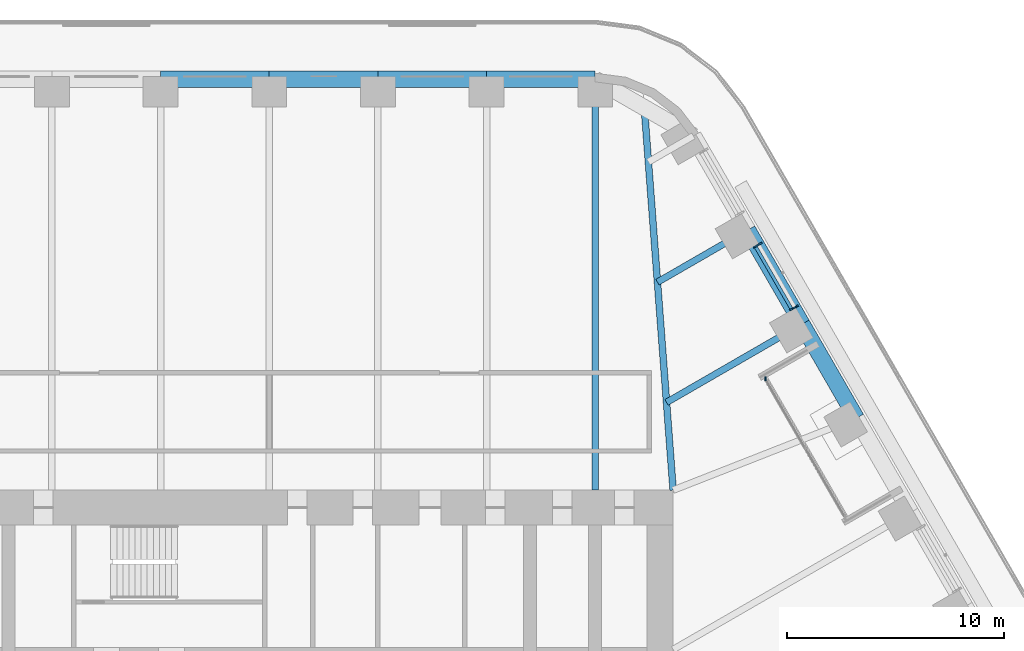
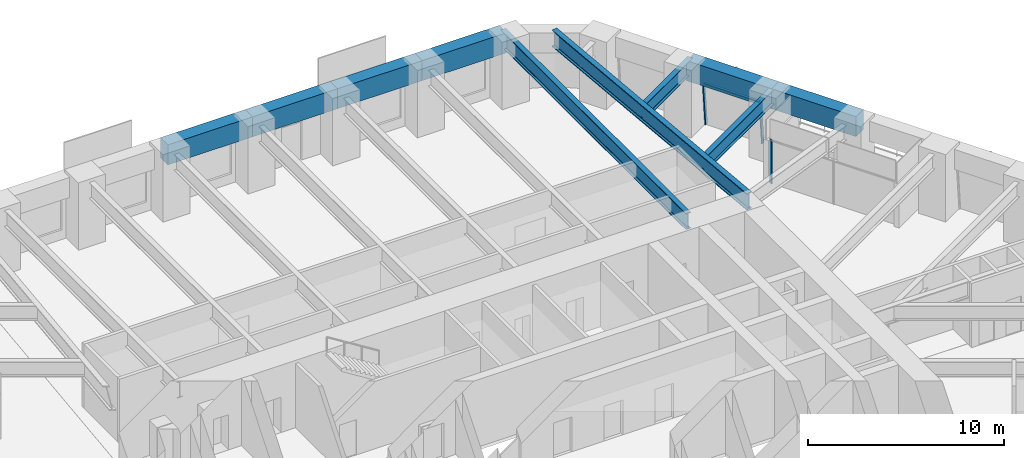
# One storey, part 12 of 24: 10 beams, 4 members, 2 elements without a shape of their own.
"""IFC4 building model written with IfcOpenShell, lengths in metres."""

from ifc_helpers import new_model, si_unit, direction, frame, origin, origin_2d, place, context, subcontext, project, spatial, rectangle, i_section, extrude, material, material_profile, profile_set, type_object, element, aggregate, save


model = new_model("IFC4")

# Units and contexts
model_context = context("Model", 3, precision=1e-05, world=origin(), true_north=direction((0.0, 1.0)))
body_context = subcontext(model_context, "Body", "Model", "MODEL_VIEW")
ifc_project = project(units=[si_unit("LENGTHUNIT", "METRE"), si_unit("AREAUNIT", "SQUARE_METRE"), si_unit("VOLUMEUNIT", "CUBIC_METRE"), si_unit("PLANEANGLEUNIT", "RADIAN"), si_unit("MASSUNIT", "GRAM", prefix="KILO")], contexts=[model_context])

# Site, building, storey
site_placement = place(None, origin())
site = spatial("IfcSite", under=ifc_project, at=site_placement, CompositionType="ELEMENT")
building_placement = place(site_placement, origin())
building = spatial("IfcBuilding", under=site, at=building_placement, Name="Tarfa Lantern Tower", CompositionType="ELEMENT")
storey_placement = place(building_placement, frame((0.0, 0.0, 165.699951171875)))
storey = spatial("IfcBuildingStorey", under=building, at=storey_placement, Name="L37", CompositionType="ELEMENT", Elevation=165.699951171875)

# Curtain wall, members
ifc_material_1 = material(Name="Aluminium framed curtain wall", Category="aluminium")
curtain_wall_type_1 = type_object("IfcCurtainWallType", Name="CW2 CANTED GLAZING MID ZONE 2750", PredefinedType="USERDEFINED", material=ifc_material_1)
curtain_wall_1_placement = place(storey_placement, origin())
curtain_wall_1 = element("IfcCurtainWall", 1, at=curtain_wall_1_placement, inside=storey, type_object=curtain_wall_type_1, Name="CW2 NEB L37", ObjectType="CURTAIN WALL", PredefinedType="USERDEFINED")
ifc_material_2 = material(Name="Aluminium mullion", Category="aluminium")
ifc_material_profile_1 = material_profile(ifc_material_2, rectangle(XDim=0.06494140625, YDim=0.199951171875, at=origin_2d()), Name="AL MULLION 65x200")
ifc_profile_set_1 = profile_set([ifc_material_profile_1], Name="Aluminium mullion")
member_type_1 = type_object("IfcMemberType", Name="CWM1 MULLION 65x200", PredefinedType="MULLION", material=ifc_profile_set_1)
member_1_placement = place(storey_placement, frame((24.275146484375, 20.75439453125, 0.0), z_axis=(-0.078422950161, -0.045267813396, 0.995891894715), x_axis=(0.499919672301, -0.866071776036, 0.0)))
member_1 = element("IfcMember", 2, at=member_1_placement, type_object=member_type_1, Name="CW2 mullion 1", PredefinedType="MULLION", context=body_context, shape_type="SweptSolid", body=[
    extrude(rectangle(XDim=0.06494140625, YDim=0.199951171875, at=origin_2d()), origin(), (0.0, 0.0, 1.0), 2.76123046875),
])
member_2_placement = place(storey_placement, frame((22.605712890625, 23.645751953125, 0.0), z_axis=(-0.078422950161, -0.045267813396, 0.995891894715), x_axis=(0.499919672301, -0.866071776036, 0.0)))
member_2 = element("IfcMember", 3, at=member_2_placement, type_object=member_type_1, Name="CW2 mullion 2", PredefinedType="MULLION", context=body_context, shape_type="SweptSolid", body=[
    extrude(rectangle(XDim=0.06494140625, YDim=0.199951171875, at=origin_2d()), origin(), (0.0, 0.0, 1.0), 2.76123046875),
])

# Curtain wall, member
curtain_wall_type_2 = type_object("IfcCurtainWallType", Name="CW10 LOGGIA GLAZING 2750", PredefinedType="USERDEFINED", material=ifc_material_1)
curtain_wall_2_placement = place(storey_placement, origin())
curtain_wall_2 = element("IfcCurtainWall", 4, at=curtain_wall_2_placement, inside=storey, type_object=curtain_wall_type_2, Name="CW10 NEL L37", ObjectType="CURTAIN WALL", PredefinedType="USERDEFINED")
member_3_placement = place(storey_placement, frame((22.84619140625, 17.429443359375, 0.0), z_axis=(0.0, 0.0, 1.0), x_axis=(1.0, 0.0, 0.0)))
member_3 = element("IfcMember", 5, at=member_3_placement, type_object=member_type_1, Name="CW10 mullion 3", PredefinedType="MULLION", context=body_context, shape_type="SweptSolid", body=[
    extrude(rectangle(XDim=0.06494140625, YDim=0.199951171875, at=origin_2d()), origin(), (0.0, 0.0, 1.0), 2.75),
])
aggregate(curtain_wall_2, [member_3])

# Member
ifc_material_3 = material(Name="Aluminium transom", Category="aluminium")
ifc_material_profile_2 = material_profile(ifc_material_3, rectangle(XDim=0.14990234375, YDim=0.06494140625, at=origin_2d()), Name="AL TRANSOM 150x65")
ifc_profile_set_2 = profile_set([ifc_material_profile_2], Name="Aluminium transom")
member_type_2 = type_object("IfcMemberType", Name="CWT1 TRANSOM 150x65", PredefinedType="USERDEFINED", material=ifc_profile_set_2)
member_4_placement = place(storey_placement, frame((24.044921875, 20.658935546875, 2.717529296875), z_axis=(-0.500012937857, 0.86601793398, 0.0), x_axis=(-0.86601793398, -0.500012937857, 0.0)))
member_4 = element("IfcMember", 6, at=member_4_placement, type_object=member_type_2, Name="CW2 transom 1.2", ObjectType="TRANSOM", PredefinedType="USERDEFINED", context=body_context, shape_type="SweptSolid", body=[
    extrude(rectangle(XDim=0.14990234375, YDim=0.06494140625, at=origin_2d()), origin(), (0.0, 0.0, 1.0), 3.27392578125),
])

aggregate(curtain_wall_1, [member_1, member_2, member_4])

# Beams
ifc_material_4 = material(Name="Concrete C80/95", Category="concrete")
ifc_material_profile_3 = material_profile(ifc_material_4, rectangle(XDim=0.75, YDim=1.25, at=origin_2d()), Name="RC 750x1250")
ifc_profile_set_3 = profile_set([ifc_material_profile_3], Name="Concrete C80/95")
beam_type_1 = type_object("IfcBeamType", Name="EB2 RC 750x1250", PredefinedType="SPANDREL", material=ifc_profile_set_3)
for number, where, z_axis, x_axis, name in (
    (7, (27.037353515625, 15.610107421875, 3.375), (-0.500022324899, 0.866012514114, 0.0), (-0.866012514114, -0.500022324899, 0.0), "Edge beam NE3"),
    (8, (24.535400390625, 19.943359375, 3.375), (-0.49998573051, 0.866033642122, 0.0), (-0.866033642122, -0.49998573051, 0.0), "Edge beam NE4"),
    (9, (15.010986328125, 31.219970703125, 3.375), (-1.0, 0.0, 0.0), (0.0, -1.0, 0.0), "Edge beam N0"),
    (10, (10.00732421875, 31.219970703125, 3.375), (-1.0, 0.0, 0.0), (0.0, -1.0, 0.0), "Edge beam N1"),
    (11, (5.003662109375, 31.219970703125, 3.375), (-1.0, 0.0, 0.0), (0.0, -1.0, 0.0), "Edge beam N2"),
    (12, (0.0, 31.219970703125, 3.375), (-1.0, 0.0, 0.0), (0.0, -1.0, 0.0), "Edge beam N3"),
):
    element("IfcBeam", number, at=place(storey_placement, frame(where, z_axis=z_axis, x_axis=x_axis)), inside=storey, type_object=beam_type_1, Name=name, PredefinedType="SPANDREL", context=body_context, shape_type="SweptSolid", body=[
        extrude(rectangle(XDim=0.75, YDim=1.25, at=origin_2d()), origin(), (0.0, 0.0, 1.0), 5.003662109375),
    ])
ifc_material_5 = material(Name="Steel S460M", Category="steel")
ifc_material_profile_4 = material_profile(ifc_material_5, i_section(OverallWidth=0.302001953125, OverallDepth=1.008056640625, WebThickness=0.02099609375, FlangeThickness=0.0400390625, FilletRadius=0.030029296875, at=origin_2d()), Name="UB1016x305x349")
ifc_profile_set_4 = profile_set([ifc_material_profile_4], Name="Steel S460M")
beam_type_2 = type_object("IfcBeamType", Name="UB1016x305x349", PredefinedType="BEAM", material=ifc_profile_set_4)
beam_1_placement = place(storey_placement, frame((15.010986328125, 31.219970703125, 3.49609375), z_axis=(0.0, -1.0, 0.0), x_axis=(1.0, 0.0, 0.0)))
element("IfcBeam", 13, at=beam_1_placement, inside=storey, type_object=beam_type_2, Name="Floor beam N0", PredefinedType="BEAM", context=body_context, shape_type="SweptSolid", body=[
    extrude(i_section(OverallWidth=0.302001953125, OverallDepth=1.008056640625, WebThickness=0.02099609375, FlangeThickness=0.0400390625, FilletRadius=0.030029296875, at=origin_2d()), origin(), (0.0, 0.0, 1.0), 18.919921875),
])
ifc_material_profile_5 = material_profile(ifc_material_5, i_section(OverallWidth=0.30859375, OverallDepth=1.036376953125, WebThickness=0.030029296875, FlangeThickness=0.05419921875, FilletRadius=0.030029296875, at=origin_2d()), Name="UB1016x305x487")
ifc_profile_set_5 = profile_set([ifc_material_profile_5], Name="Steel S460M")
beam_type_3 = type_object("IfcBeamType", Name="UB1016x305x487", PredefinedType="BEAM", material=ifc_profile_set_5)
beam_2_placement = place(storey_placement, frame((18.60009765625, 12.300048828125, 3.48193359375), z_axis=(-0.075211516041, 0.99716760269, 0.0), x_axis=(-0.99716760269, -0.075211516041, 0.0)))
element("IfcBeam", 14, at=beam_2_placement, inside=storey, type_object=beam_type_3, Name="Hip girder NE", PredefinedType="BEAM", context=body_context, shape_type="SweptSolid", body=[
    extrude(i_section(OverallWidth=0.30859375, OverallDepth=1.036376953125, WebThickness=0.030029296875, FlangeThickness=0.05419921875, FilletRadius=0.030029296875, at=origin_2d()), origin(), (0.0, 0.0, 1.0), 17.6650390625),
])
ifc_material_profile_6 = material_profile(ifc_material_5, i_section(OverallWidth=0.305419921875, OverallDepth=0.91845703125, WebThickness=0.017333984375, FlangeThickness=0.02783203125, FilletRadius=0.01904296875, at=origin_2d()), Name="UB914x305x253")
ifc_profile_set_6 = profile_set([ifc_material_profile_6], Name="Steel S460M")
beam_type_4 = type_object("IfcBeamType", Name="UB914x305x253", PredefinedType="BEAM", material=ifc_profile_set_6)
beam_3_placement = place(storey_placement, frame((24.535400390625, 19.943359375, 3.540771484375), z_axis=(-0.86602647304, -0.499998147991, 0.0), x_axis=(0.499998147991, -0.86602647304, 0.0)))
element("IfcBeam", 15, at=beam_3_placement, inside=storey, type_object=beam_type_4, Name="Floor beam NE4", PredefinedType="BEAM", context=body_context, shape_type="SweptSolid", body=[
    extrude(i_section(OverallWidth=0.305419921875, OverallDepth=0.91845703125, WebThickness=0.017333984375, FlangeThickness=0.02783203125, FilletRadius=0.01904296875, at=origin_2d()), origin(), (0.0, 0.0, 1.0), 7.20556640625),
])
beam_4_placement = place(storey_placement, frame((22.03369140625, 24.276611328125, 3.540771484375), z_axis=(-0.866030550462, -0.499991085587, 0.0), x_axis=(0.499991085587, -0.866030550462, 0.0)))
element("IfcBeam", 16, at=beam_4_placement, inside=storey, type_object=beam_type_4, Name="Floor beam NE5", PredefinedType="BEAM", context=body_context, shape_type="SweptSolid", body=[
    extrude(i_section(OverallWidth=0.305419921875, OverallDepth=0.91845703125, WebThickness=0.017333984375, FlangeThickness=0.02783203125, FilletRadius=0.01904296875, at=origin_2d()), origin(), (0.0, 0.0, 1.0), 4.798828125),
])

save(model, "model.ifc")
